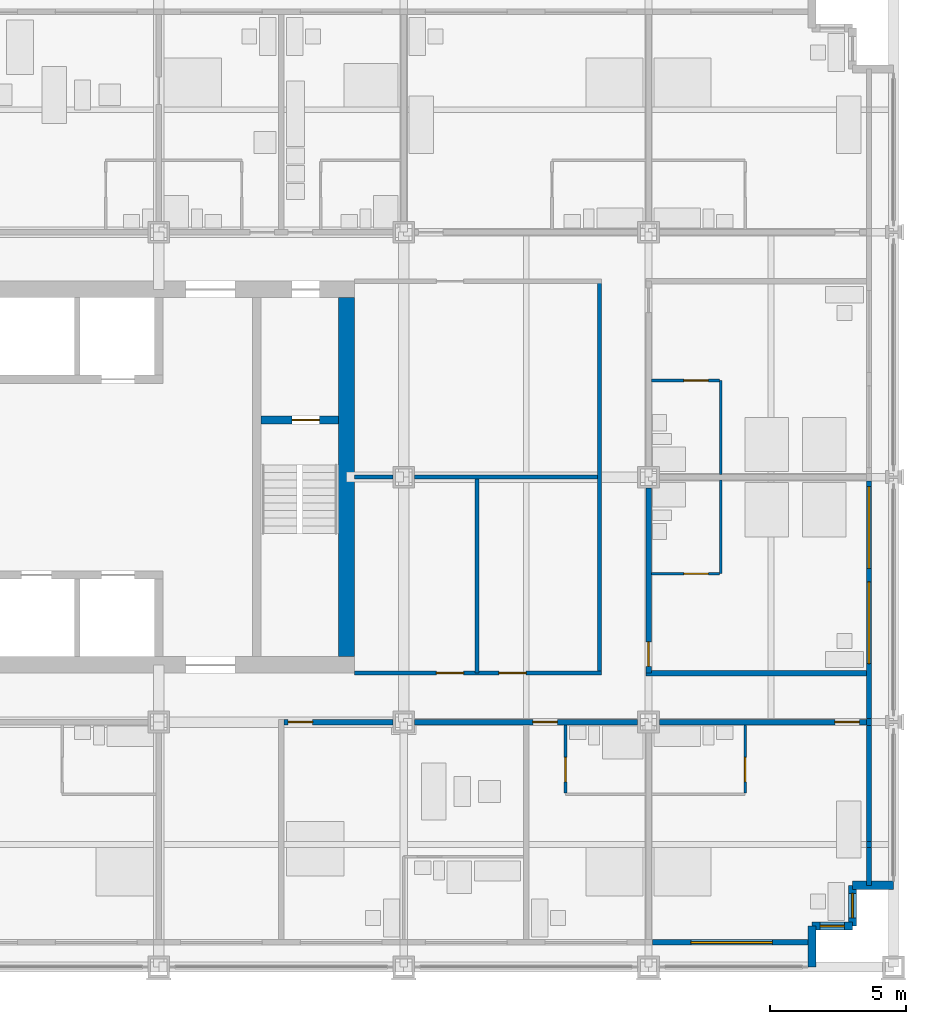
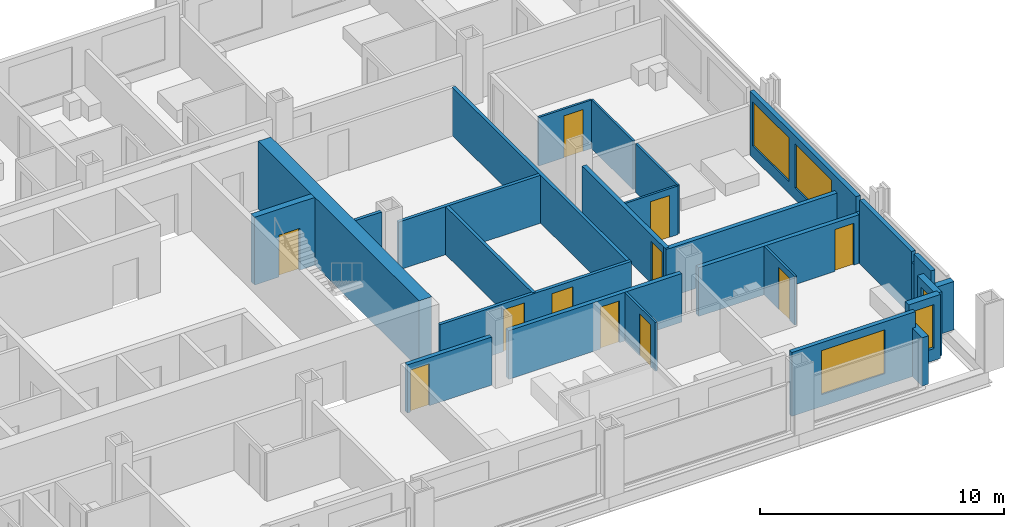
# One storey, part 13 of 18: 28 walls, 11 doors, 5 windows, 16 openings.
"""IFC4 building model written with IfcOpenShell, lengths in metres."""

from ifc_helpers import new_model, si_unit, direction, frame, frame_2d, origin, place, context, subcontext, project, spatial, rectangle, extrude, material, layer, layer_set, type_object, element, fill, save


model = new_model("IFC4")

# Units and contexts
model_context = context("Model", 3, precision=1e-05, world=origin(), true_north=direction((0.0, 1.0)))
body_context = subcontext(model_context, "Body", "Model", "MODEL_VIEW")
ifc_project = project(units=[si_unit("LENGTHUNIT", "METRE"), si_unit("AREAUNIT", "SQUARE_METRE"), si_unit("VOLUMEUNIT", "CUBIC_METRE"), si_unit("PLANEANGLEUNIT", "RADIAN"), si_unit("MASSUNIT", "GRAM", prefix="KILO")], contexts=[model_context])

# Site, building, storey
site_placement = place(None, origin())
site = spatial("IfcSite", under=ifc_project, at=site_placement, CompositionType="ELEMENT")
building_placement = place(site_placement, origin())
building = spatial("IfcBuilding", under=site, at=building_placement, Name="Loomwork Tower", CompositionType="ELEMENT")
storey_placement = place(building_placement, frame((0.0, 0.0, 38.199951171875)))
storey = spatial("IfcBuildingStorey", under=building, at=storey_placement, Name="L08", CompositionType="ELEMENT", Elevation=38.199951171875)

# Wall, opening, door
ifc_material_1 = material(Name="Concrete 14000 psi (97 MPa)", Category="concrete")
ifc_layer_1 = layer(ifc_material_1, 0.300048828125)
ifc_layer_set_1 = layer_set([ifc_layer_1], Name="Core shear wall 300")
wall_type_1 = type_object("IfcWallType", Name="Core shear wall 300", PredefinedType="SHEAR", material=ifc_layer_set_1)
wall_1_placement = place(storey_placement, frame((30.75, 20.10009765625, 0.0), z_axis=(0.0, 0.0, 1.0), x_axis=(1.0, 0.0, 0.0)))
wall_1 = element("IfcWall", 1, at=wall_1_placement, inside=storey, type_object=wall_type_1, Name="Stair B north wall L08", PredefinedType="SHEAR", context=body_context, shape_type="SweptSolid", body=[
    extrude(rectangle(XDim=2.85009765625, YDim=0.300048828125, at=frame_2d((1.425048828125, 0.0))), origin(), (0.0, 0.0, 1.0), 3.400146484375),
])
opening_1_placement = place(wall_1_placement, frame((1.14990234375, 0.0, 0.0)))
opening_1 = element("IfcOpeningElement", 2, at=opening_1_placement, cuts=wall_1, Name="Opening D4", PredefinedType="OPENING", context=body_context, shape_type="SweptSolid", body=[
    extrude(rectangle(XDim=1.0, YDim=2.10009765625, at=frame_2d((0.5, 1.050048828125))), frame((0.0, 0.159912109375, 0.0), z_axis=(0.0, -1.0, 0.0), x_axis=(1.0, 0.0, 0.0)), (0.0, 0.0, 1.0), 0.320068359375),
])
ifc_material_2 = material(Name="Hollow metal door and frame")
door_type_1 = type_object("IfcDoorType", Name="Stair door 1000", OperationType="SINGLE_SWING_RIGHT", PredefinedType="DOOR", material=ifc_material_2)
door_1_placement = place(opening_1_placement, frame((1.0, 0.0, 0.0), z_axis=(0.0, 0.0, 1.0), x_axis=(-1.0, 0.0, 0.0)))
door_1 = element("IfcDoor", 3, at=door_1_placement, inside=storey, type_object=door_type_1, Name="Stair B door", OperationType="SINGLE_SWING_LEFT", OverallHeight=2.10009765625, OverallWidth=1.0, PredefinedType="DOOR", context=body_context, shape_type="SweptSolid", body=[
    extrude(rectangle(XDim=1.0, YDim=2.10009765625, at=frame_2d((0.5, 1.050048828125))), frame((0.0, 0.02490234375, 0.0), z_axis=(0.0, -1.0, 0.0), x_axis=(1.0, 0.0, 0.0)), (0.0, 0.0, 1.0), 0.050048828125),
])
fill(opening_1, door_1)

# Wall
ifc_material_3 = material(Name="Concrete 14000 psi (97 MPa)", Category="concrete")
ifc_layer_2 = layer(ifc_material_3, 0.60009765625)
ifc_layer_set_2 = layer_set([ifc_layer_2], Name="Core shear wall 600")
wall_type_2 = type_object("IfcWallType", Name="Core shear wall 600", PredefinedType="SHEAR", material=ifc_layer_set_2)
wall_2_placement = place(storey_placement, frame((33.89990234375, 11.39990234375, 0.0), z_axis=(0.0, 0.0, 1.0), x_axis=(0.0, 1.0, 0.0)))
element("IfcWall", 4, at=wall_2_placement, inside=storey, type_object=wall_type_2, Name="Core wall east L08", PredefinedType="SHEAR", context=body_context, shape_type="SweptSolid", body=[
    extrude(rectangle(XDim=13.2001953125, YDim=0.60009765625, at=frame_2d((6.60009765625, 0.0))), origin(), (0.0, 0.0, 1.0), 3.400146484375),
])

# Wall, opening, door
ifc_material_4 = material(Name="Gypsum board on steel studs, one-hour", Category="steel")
ifc_layer_3 = layer(ifc_material_4, 0.199951171875)
ifc_layer_set_3 = layer_set([ifc_layer_3], Name="Corridor wall 200")
wall_type_3 = type_object("IfcWallType", Name="Corridor wall 200", PredefinedType="PARTITIONING", material=ifc_layer_set_3)
wall_3_placement = place(storey_placement, frame((31.60009765625, 9.0, 0.0), z_axis=(0.0, 0.0, 1.0), x_axis=(1.0, 0.0, 0.0)))
wall_3 = element("IfcWall", 5, at=wall_3_placement, inside=storey, type_object=wall_type_3, Name="South corridor wall 4", PredefinedType="PARTITIONING", context=body_context, shape_type="SweptSolid", body=[
    extrude(rectangle(XDim=4.0, YDim=0.199951171875, at=frame_2d((2.0, 0.0))), origin(), (0.0, 0.0, 1.0), 2.405029296875),
])
opening_2_placement = place(wall_3_placement, frame((0.14990234375, 0.0, 0.0)))
opening_2 = element("IfcOpeningElement", 6, at=opening_2_placement, cuts=wall_3, Name="Opening D1", PredefinedType="OPENING", context=body_context, shape_type="SweptSolid", body=[
    extrude(rectangle(XDim=0.89990234375, YDim=2.10009765625, at=frame_2d((0.449951171875, 1.050048828125))), frame((0.0, 0.10986328125, 0.0), z_axis=(0.0, -1.0, 0.0), x_axis=(1.0, 0.0, 0.0)), (0.0, 0.0, 1.0), 0.219970703125),
])
ifc_material_5 = material(Name="Hollow metal door and frame")
door_type_2 = type_object("IfcDoorType", Name="Guest room entry door 900", OperationType="SINGLE_SWING_LEFT", PredefinedType="DOOR", material=ifc_material_5)
door_2_placement = place(opening_2_placement, frame((0.89990234375, 0.0, 0.0), z_axis=(0.0, 0.0, 1.0), x_axis=(-1.0, 0.0, 0.0)))
door_2 = element("IfcDoor", 7, at=door_2_placement, inside=storey, type_object=door_type_2, Name="Guest room entry door L08 5", OperationType="SINGLE_SWING_RIGHT", OverallHeight=2.10009765625, OverallWidth=0.89990234375, PredefinedType="DOOR", context=body_context, shape_type="SweptSolid", body=[
    extrude(rectangle(XDim=0.89990234375, YDim=2.10009765625, at=frame_2d((0.449951171875, 1.050048828125))), frame((0.0, 0.02490234375, 0.0), z_axis=(0.0, -1.0, 0.0), x_axis=(1.0, 0.0, 0.0)), (0.0, 0.0, 1.0), 0.050048828125),
])
fill(opening_2, door_2)

wall_4_placement = place(storey_placement, frame((36.39990234375, 9.0, 0.0), z_axis=(0.0, 0.0, 1.0), x_axis=(1.0, 0.0, 0.0)))
wall_4 = element("IfcWall", 8, at=wall_4_placement, inside=storey, type_object=wall_type_3, Name="South corridor wall 5", PredefinedType="PARTITIONING", context=body_context, shape_type="SweptSolid", body=[
    extrude(rectangle(XDim=8.2001953125, YDim=0.199951171875, at=frame_2d((4.10009765625, 0.0))), origin(), (0.0, 0.0, 1.0), 2.43798828125),
])
opening_3_placement = place(wall_4_placement, frame((4.35009765625, 0.0, 0.0)))
opening_3 = element("IfcOpeningElement", 9, at=opening_3_placement, cuts=wall_4, Name="Opening D1", PredefinedType="OPENING", context=body_context, shape_type="SweptSolid", body=[
    extrude(rectangle(XDim=0.89990234375, YDim=2.10009765625, at=frame_2d((0.449951171875, 1.050048828125))), frame((0.0, 0.10986328125, 0.0), z_axis=(0.0, -1.0, 0.0), x_axis=(1.0, 0.0, 0.0)), (0.0, 0.0, 1.0), 0.219970703125),
])
door_3_placement = place(opening_3_placement, frame((0.89990234375, 0.0, 0.0), z_axis=(0.0, 0.0, 1.0), x_axis=(-1.0, 0.0, 0.0)))
door_3 = element("IfcDoor", 10, at=door_3_placement, inside=storey, type_object=door_type_2, Name="Guest room entry door L08 6", OperationType="SINGLE_SWING_RIGHT", OverallHeight=2.10009765625, OverallWidth=0.89990234375, PredefinedType="DOOR", context=body_context, shape_type="SweptSolid", body=[
    extrude(rectangle(XDim=0.89990234375, YDim=2.10009765625, at=frame_2d((0.449951171875, 1.050048828125))), frame((0.0, 0.02490234375, 0.0), z_axis=(0.0, -1.0, 0.0), x_axis=(1.0, 0.0, 0.0)), (0.0, 0.0, 1.0), 0.050048828125),
])
fill(opening_3, door_3)

wall_5_placement = place(storey_placement, frame((45.39990234375, 9.0, 0.0), z_axis=(0.0, 0.0, 1.0), x_axis=(1.0, 0.0, 0.0)))
wall_5 = element("IfcWall", 11, at=wall_5_placement, inside=storey, type_object=wall_type_3, Name="South corridor wall 6", PredefinedType="PARTITIONING", context=body_context, shape_type="SweptSolid", body=[
    extrude(rectangle(XDim=7.60009765625, YDim=0.199951171875, at=frame_2d((3.800048828125, 0.0))), origin(), (0.0, 0.0, 1.0), 2.43798828125),
])
opening_4_placement = place(wall_5_placement, frame((6.449951171875, 0.0, 0.0)))
opening_4 = element("IfcOpeningElement", 12, at=opening_4_placement, cuts=wall_5, Name="Opening D1", PredefinedType="OPENING", context=body_context, shape_type="SweptSolid", body=[
    extrude(rectangle(XDim=0.89990234375, YDim=2.10009765625, at=frame_2d((0.449951171875, 1.050048828125))), frame((0.0, 0.10986328125, 0.0), z_axis=(0.0, -1.0, 0.0), x_axis=(1.0, 0.0, 0.0)), (0.0, 0.0, 1.0), 0.219970703125),
])
door_4_placement = place(opening_4_placement, frame((0.89990234375, 0.0, 0.0), z_axis=(0.0, 0.0, 1.0), x_axis=(-1.0, 0.0, 0.0)))
door_4 = element("IfcDoor", 13, at=door_4_placement, inside=storey, type_object=door_type_2, Name="Guest room entry door L08 7", OperationType="SINGLE_SWING_LEFT", OverallHeight=2.10009765625, OverallWidth=0.89990234375, PredefinedType="DOOR", context=body_context, shape_type="SweptSolid", body=[
    extrude(rectangle(XDim=0.89990234375, YDim=2.10009765625, at=frame_2d((0.449951171875, 1.050048828125))), frame((0.0, 0.02490234375, 0.0), z_axis=(0.0, -1.0, 0.0), x_axis=(1.0, 0.0, 0.0)), (0.0, 0.0, 1.0), 0.050048828125),
])
fill(opening_4, door_4)

wall_6_placement = place(storey_placement, frame((45.0, 10.800048828125, 0.0), z_axis=(0.0, 0.0, 1.0), x_axis=(0.0, 1.0, 0.0)))
wall_6 = element("IfcWall", 14, at=wall_6_placement, inside=storey, type_object=wall_type_3, Name="East corridor wall 1", PredefinedType="PARTITIONING", context=body_context, shape_type="SweptSolid", body=[
    extrude(rectangle(XDim=6.800048828125, YDim=0.199951171875, at=frame_2d((3.39990234375, 0.0))), origin(), (0.0, 0.0, 1.0), 2.43798828125),
])
opening_5_placement = place(wall_6_placement, frame((0.25, 0.0, 0.0)))
opening_5 = element("IfcOpeningElement", 15, at=opening_5_placement, cuts=wall_6, Name="Opening D1", PredefinedType="OPENING", context=body_context, shape_type="SweptSolid", body=[
    extrude(rectangle(XDim=0.89990234375, YDim=2.10009765625, at=frame_2d((0.449951171875, 1.050048828125))), frame((0.0, 0.10986328125, 0.0), z_axis=(0.0, -1.0, 0.0), x_axis=(1.0, 0.0, 0.0)), (0.0, 0.0, 1.0), 0.219970703125),
])
door_5_placement = place(opening_5_placement, frame((0.89990234375, 0.0, 0.0), z_axis=(0.0, 0.0, 1.0), x_axis=(-1.0, 0.0, 0.0)))
door_5 = element("IfcDoor", 16, at=door_5_placement, inside=storey, type_object=door_type_2, Name="Guest room entry door L08 18", OperationType="SINGLE_SWING_RIGHT", OverallHeight=2.10009765625, OverallWidth=0.89990234375, PredefinedType="DOOR", context=body_context, shape_type="SweptSolid", body=[
    extrude(rectangle(XDim=0.89990234375, YDim=2.10009765625, at=frame_2d((0.449951171875, 1.050048828125))), frame((0.0, 0.02490234375, 0.0), z_axis=(0.0, -1.0, 0.0), x_axis=(1.0, 0.0, 0.0)), (0.0, 0.0, 1.0), 0.050048828125),
])
fill(opening_5, door_5)

# Wall
wall_7_placement = place(storey_placement, frame((44.89990234375, 10.800048828125, 0.0), z_axis=(0.0, 0.0, 1.0), x_axis=(1.0, 0.0, 0.0)))
element("IfcWall", 17, at=wall_7_placement, inside=storey, type_object=wall_type_3, Name="East band end wall S", PredefinedType="PARTITIONING", context=body_context, shape_type="SweptSolid", body=[
    extrude(rectangle(XDim=8.10009765625, YDim=0.199951171875, at=frame_2d((4.050048828125, 0.0))), origin(), (0.0, 0.0, 1.0), 2.43798828125),
])

# Wall, opening, door
ifc_material_6 = material(Name="Cement board on steel studs", Category="steel")
ifc_layer_4 = layer(ifc_material_6, 0.10009765625)
ifc_layer_set_4 = layer_set([ifc_layer_4], Name="En-suite partition 100")
wall_type_4 = type_object("IfcWallType", Name="En-suite partition 100", PredefinedType="PARTITIONING", material=ifc_layer_set_4)
wall_8_placement = place(storey_placement, frame((41.949951171875, 8.89990234375, 0.0), z_axis=(0.0, 0.0, 1.0), x_axis=(0.0, -1.0, 0.0)))
wall_8 = element("IfcWall", 18, at=wall_8_placement, inside=storey, type_object=wall_type_4, Name="En-suite side wall L08 room 6", PredefinedType="PARTITIONING", context=body_context, shape_type="SweptSolid", body=[
    extrude(rectangle(XDim=2.5, YDim=0.10009765625, at=frame_2d((1.25, 0.0))), origin(), (0.0, 0.0, 1.0), 2.43798828125),
])
opening_6_placement = place(wall_8_placement, frame((1.199951171875, 0.0, 0.0)))
opening_6 = element("IfcOpeningElement", 19, at=opening_6_placement, cuts=wall_8, Name="Opening D3", PredefinedType="OPENING", context=body_context, shape_type="SweptSolid", body=[
    extrude(rectangle(XDim=0.89990234375, YDim=2.10009765625, at=frame_2d((0.449951171875, 1.050048828125))), frame((0.0, 0.06005859375, 0.0), z_axis=(0.0, -1.0, 0.0), x_axis=(1.0, 0.0, 0.0)), (0.0, 0.0, 1.0), 0.1201171875),
])
ifc_material_7 = material(Name="Hollow metal door and frame")
door_type_3 = type_object("IfcDoorType", Name="Accessible en-suite door 900", OperationType="SLIDING_TO_LEFT", PredefinedType="DOOR", material=ifc_material_7)
door_6_placement = place(opening_6_placement, origin())
door_6 = element("IfcDoor", 20, at=door_6_placement, inside=storey, type_object=door_type_3, Name="Accessible en-suite door room 6", OperationType="SLIDING_TO_LEFT", OverallHeight=2.10009765625, OverallWidth=0.89990234375, PredefinedType="DOOR", context=body_context, shape_type="SweptSolid", body=[
    extrude(rectangle(XDim=0.89990234375, YDim=2.10009765625, at=frame_2d((0.449951171875, 1.050048828125))), frame((0.0, 0.02490234375, 0.0), z_axis=(0.0, -1.0, 0.0), x_axis=(1.0, 0.0, 0.0)), (0.0, 0.0, 1.0), 0.050048828125),
])
fill(opening_6, door_6)

wall_9_placement = place(storey_placement, frame((48.550048828125, 8.89990234375, 0.0), z_axis=(0.0, 0.0, 1.0), x_axis=(0.0, -1.0, 0.0)))
wall_9 = element("IfcWall", 21, at=wall_9_placement, inside=storey, type_object=wall_type_4, Name="En-suite side wall L08 room 7", PredefinedType="PARTITIONING", context=body_context, shape_type="SweptSolid", body=[
    extrude(rectangle(XDim=2.5, YDim=0.10009765625, at=frame_2d((1.25, 0.0))), origin(), (0.0, 0.0, 1.0), 2.43798828125),
])
opening_7_placement = place(wall_9_placement, frame((1.199951171875, 0.0, 0.0)))
opening_7 = element("IfcOpeningElement", 22, at=opening_7_placement, cuts=wall_9, Name="Opening D2", PredefinedType="OPENING", context=body_context, shape_type="SweptSolid", body=[
    extrude(rectangle(XDim=0.89990234375, YDim=2.10009765625, at=frame_2d((0.449951171875, 1.050048828125))), frame((0.0, 0.06005859375, 0.0), z_axis=(0.0, -1.0, 0.0), x_axis=(1.0, 0.0, 0.0)), (0.0, 0.0, 1.0), 0.1201171875),
])
ifc_material_8 = material(Name="Hollow metal door and frame")
door_type_4 = type_object("IfcDoorType", Name="En-suite door 900", OperationType="SINGLE_SWING_LEFT", PredefinedType="DOOR", material=ifc_material_8)
door_7_placement = place(opening_7_placement, frame((0.89990234375, 0.0, 0.0), z_axis=(0.0, 0.0, 1.0), x_axis=(-1.0, 0.0, 0.0)))
door_7 = element("IfcDoor", 23, at=door_7_placement, inside=storey, type_object=door_type_4, Name="En-suite door room 7", OperationType="SINGLE_SWING_LEFT", OverallHeight=2.10009765625, OverallWidth=0.89990234375, PredefinedType="DOOR", context=body_context, shape_type="SweptSolid", body=[
    extrude(rectangle(XDim=0.89990234375, YDim=2.10009765625, at=frame_2d((0.449951171875, 1.050048828125))), frame((0.0, 0.02490234375, 0.0), z_axis=(0.0, -1.0, 0.0), x_axis=(1.0, 0.0, 0.0)), (0.0, 0.0, 1.0), 0.050048828125),
])
fill(opening_7, door_7)

# Wall
wall_10_placement = place(storey_placement, frame((47.64990234375, 14.449951171875, 0.0), z_axis=(0.0, 0.0, 1.0), x_axis=(0.0, 1.0, 0.0)))
element("IfcWall", 24, at=wall_10_placement, inside=storey, type_object=wall_type_4, Name="En-suite wall L08 room 18", PredefinedType="PARTITIONING", context=body_context, shape_type="SweptSolid", body=[
    extrude(rectangle(XDim=3.449951171875, YDim=0.10009765625, at=frame_2d((1.72509765625, 0.0))), origin(), (0.0, 0.0, 1.0), 2.43798828125),
])

# Wall, opening, door
wall_11_placement = place(storey_placement, frame((45.10009765625, 14.449951171875, 0.0), z_axis=(0.0, 0.0, 1.0), x_axis=(1.0, 0.0, 0.0)))
wall_11 = element("IfcWall", 25, at=wall_11_placement, inside=storey, type_object=wall_type_4, Name="En-suite side wall L08 room 18", PredefinedType="PARTITIONING", context=body_context, shape_type="SweptSolid", body=[
    extrude(rectangle(XDim=2.5, YDim=0.10009765625, at=frame_2d((1.25, 0.0))), origin(), (0.0, 0.0, 1.0), 2.43798828125),
])
opening_8_placement = place(wall_11_placement, frame((1.199951171875, 0.0, 0.0)))
opening_8 = element("IfcOpeningElement", 26, at=opening_8_placement, cuts=wall_11, Name="Opening D2", PredefinedType="OPENING", context=body_context, shape_type="SweptSolid", body=[
    extrude(rectangle(XDim=0.89990234375, YDim=2.10009765625, at=frame_2d((0.449951171875, 1.050048828125))), frame((0.0, 0.06005859375, 0.0), z_axis=(0.0, -1.0, 0.0), x_axis=(1.0, 0.0, 0.0)), (0.0, 0.0, 1.0), 0.1201171875),
])
door_8_placement = place(opening_8_placement, origin())
door_8 = element("IfcDoor", 27, at=door_8_placement, inside=storey, type_object=door_type_4, Name="En-suite door room 18", OperationType="SINGLE_SWING_RIGHT", OverallHeight=2.10009765625, OverallWidth=0.89990234375, PredefinedType="DOOR", context=body_context, shape_type="SweptSolid", body=[
    extrude(rectangle(XDim=0.89990234375, YDim=2.10009765625, at=frame_2d((0.449951171875, 1.050048828125))), frame((0.0, 0.02490234375, 0.0), z_axis=(0.0, -1.0, 0.0), x_axis=(1.0, 0.0, 0.0)), (0.0, 0.0, 1.0), 0.050048828125),
])
fill(opening_8, door_8)

# Wall
wall_12_placement = place(storey_placement, frame((47.64990234375, 18.10009765625, 0.0), z_axis=(0.0, 0.0, 1.0), x_axis=(0.0, 1.0, 0.0)))
element("IfcWall", 28, at=wall_12_placement, inside=storey, type_object=wall_type_4, Name="En-suite wall L08 room 19", PredefinedType="PARTITIONING", context=body_context, shape_type="SweptSolid", body=[
    extrude(rectangle(XDim=3.449951171875, YDim=0.10009765625, at=frame_2d((1.72509765625, 0.0))), origin(), (0.0, 0.0, 1.0), 2.43798828125),
])

# Wall, opening, door
wall_13_placement = place(storey_placement, frame((45.10009765625, 21.550048828125, 0.0), z_axis=(0.0, 0.0, 1.0), x_axis=(1.0, 0.0, 0.0)))
wall_13 = element("IfcWall", 29, at=wall_13_placement, inside=storey, type_object=wall_type_4, Name="En-suite side wall L08 room 19", PredefinedType="PARTITIONING", context=body_context, shape_type="SweptSolid", body=[
    extrude(rectangle(XDim=2.5, YDim=0.10009765625, at=frame_2d((1.25, 0.0))), origin(), (0.0, 0.0, 1.0), 2.43798828125),
])
opening_9_placement = place(wall_13_placement, frame((1.199951171875, 0.0, 0.0)))
opening_9 = element("IfcOpeningElement", 30, at=opening_9_placement, cuts=wall_13, Name="Opening D2", PredefinedType="OPENING", context=body_context, shape_type="SweptSolid", body=[
    extrude(rectangle(XDim=0.89990234375, YDim=2.10009765625, at=frame_2d((0.449951171875, 1.050048828125))), frame((0.0, 0.06005859375, 0.0), z_axis=(0.0, -1.0, 0.0), x_axis=(1.0, 0.0, 0.0)), (0.0, 0.0, 1.0), 0.1201171875),
])
door_9_placement = place(opening_9_placement, frame((0.89990234375, 0.0, 0.0), z_axis=(0.0, 0.0, 1.0), x_axis=(-1.0, 0.0, 0.0)))
door_9 = element("IfcDoor", 31, at=door_9_placement, inside=storey, type_object=door_type_4, Name="En-suite door room 19", OperationType="SINGLE_SWING_LEFT", OverallHeight=2.10009765625, OverallWidth=0.89990234375, PredefinedType="DOOR", context=body_context, shape_type="SweptSolid", body=[
    extrude(rectangle(XDim=0.89990234375, YDim=2.10009765625, at=frame_2d((0.449951171875, 1.050048828125))), frame((0.0, 0.02490234375, 0.0), z_axis=(0.0, -1.0, 0.0), x_axis=(1.0, 0.0, 0.0)), (0.0, 0.0, 1.0), 0.050048828125),
])
fill(opening_9, door_9)

# Wall
ifc_material_9 = material(Name="Insulated steel stud wall with gypsum lining", Category="steel")
ifc_layer_5 = layer(ifc_material_9, 0.199951171875)
ifc_layer_set_5 = layer_set([ifc_layer_5], Name="Inner skin wall 200")
wall_type_5 = type_object("IfcWallType", Name="Inner skin wall 200", PredefinedType="SOLIDWALL", material=ifc_layer_set_5)
wall_14_placement = place(storey_placement, frame((53.10009765625, 3.0, 0.0), z_axis=(0.0, 0.0, 1.0), x_axis=(0.0, 1.0, 0.0)))
element("IfcWall", 32, at=wall_14_placement, inside=storey, type_object=wall_type_5, Name="Inner skin wall E", PredefinedType="SOLIDWALL", context=body_context, shape_type="SweptSolid", body=[
    extrude(rectangle(XDim=1.392578125, YDim=0.199951171875, at=frame_2d((0.6962890625, 0.0))), origin(), (0.0, 0.0, 1.0), 3.199951171875),
])

# Wall, opening, window
wall_15_placement = place(storey_placement, frame((45.135498046875, 0.89990234375, 0.0), z_axis=(0.0, 0.0, 1.0), x_axis=(1.0, 0.0, 0.0)))
wall_15 = element("IfcWall", 33, at=wall_15_placement, inside=storey, type_object=wall_type_5, Name="Inner skin wall S bay 11", PredefinedType="SOLIDWALL", context=body_context, shape_type="SweptSolid", body=[
    extrude(rectangle(XDim=5.864501953125, YDim=0.199951171875, at=frame_2d((2.93212890625, 0.0))), origin(), (0.0, 0.0, 1.0), 3.199951171875),
])
opening_10_placement = place(wall_15_placement, frame((1.41455078125, 0.0, 0.60009765625)))
opening_10 = element("IfcOpeningElement", 34, at=opening_10_placement, cuts=wall_15, Name="Opening CH1", PredefinedType="OPENING", context=body_context, shape_type="SweptSolid", body=[
    extrude(rectangle(XDim=3.0, YDim=2.199951171875, at=frame_2d((1.5, 1.10009765625))), frame((0.0, 0.10986328125, 0.0), z_axis=(0.0, -1.0, 0.0), x_axis=(1.0, 0.0, 0.0)), (0.0, 0.0, 1.0), 0.219970703125),
])
ifc_material_10 = material(Name="Aluminium frame with clear insulated glass", Category="aluminium")
window_type_1 = type_object("IfcWindowType", Name="Chicago window 3000", PartitioningType="TRIPLE_PANEL_VERTICAL", PredefinedType="WINDOW", material=ifc_material_10)
window_1_placement = place(opening_10_placement, origin())
window_1 = element("IfcWindow", 35, at=window_1_placement, inside=storey, type_object=window_type_1, Name="Chicago window L08 bay 6", OverallHeight=2.199951171875, OverallWidth=3.0, PartitioningType="TRIPLE_PANEL_VERTICAL", PredefinedType="WINDOW", context=body_context, shape_type="SweptSolid", body=[
    extrude(rectangle(XDim=3.0, YDim=2.199951171875, at=frame_2d((1.5, 1.10009765625))), frame((0.0, 0.030029296875, 0.0), z_axis=(0.0, -1.0, 0.0), x_axis=(1.0, 0.0, 0.0)), (0.0, 0.0, 1.0), 0.06005859375),
])
fill(opening_10, window_1)

# Walls
wall_16_placement = place(storey_placement, frame((53.10009765625, 4.392578125, 0.0), z_axis=(0.0, 0.0, 1.0), x_axis=(0.0, 1.0, 0.0)))
element("IfcWall", 36, at=wall_16_placement, inside=storey, type_object=wall_type_5, Name="Inner skin wall E bay 2", PredefinedType="SOLIDWALL", context=body_context, shape_type="SweptSolid", body=[
    extrude(rectangle(XDim=0.21484375, YDim=0.199951171875, at=frame_2d((0.107421875, 0.0))), origin(), (0.0, 0.0, 1.0), 2.6611328125),
])
wall_17_placement = place(storey_placement, frame((53.10009765625, 4.607421875, 0.0), z_axis=(0.0, 0.0, 1.0), x_axis=(0.0, 1.0, 0.0)))
element("IfcWall", 37, at=wall_17_placement, inside=storey, type_object=wall_type_5, Name="Inner skin wall E bay 3", PredefinedType="SOLIDWALL", context=body_context, shape_type="SweptSolid", body=[
    extrude(rectangle(XDim=4.25732421875, YDim=0.199951171875, at=frame_2d((2.128662109375, 0.0))), origin(), (0.0, 0.0, 1.0), 3.199951171875),
])
wall_18_placement = place(storey_placement, frame((53.10009765625, 8.86474609375, 0.0), z_axis=(0.0, 0.0, 1.0), x_axis=(0.0, 1.0, 0.0)))
element("IfcWall", 38, at=wall_18_placement, inside=storey, type_object=wall_type_5, Name="Inner skin wall E bay 4", PredefinedType="SOLIDWALL", context=body_context, shape_type="SweptSolid", body=[
    extrude(rectangle(XDim=0.2705078125, YDim=0.199951171875, at=frame_2d((0.13525390625, 0.0))), origin(), (0.0, 0.0, 1.0), 2.43798828125),
])

# Wall, openings, windows
wall_19_placement = place(storey_placement, frame((53.10009765625, 9.13525390625, 0.0), z_axis=(0.0, 0.0, 1.0), x_axis=(0.0, 1.0, 0.0)))
wall_19 = element("IfcWall", 39, at=wall_19_placement, inside=storey, type_object=wall_type_5, Name="Inner skin wall E bay 5", PredefinedType="SOLIDWALL", context=body_context, shape_type="SweptSolid", body=[
    extrude(rectangle(XDim=8.729248046875, YDim=0.199951171875, at=frame_2d((4.36474609375, 0.0))), origin(), (0.0, 0.0, 1.0), 3.199951171875),
])
opening_11_placement = place(wall_19_placement, frame((2.0146484375, 0.0, 0.60009765625)))
opening_11 = element("IfcOpeningElement", 40, at=opening_11_placement, cuts=wall_19, Name="Opening CH1", PredefinedType="OPENING", context=body_context, shape_type="SweptSolid", body=[
    extrude(rectangle(XDim=3.0, YDim=2.199951171875, at=frame_2d((1.5, 1.10009765625))), frame((0.0, 0.10986328125, 0.0), z_axis=(0.0, -1.0, 0.0), x_axis=(1.0, 0.0, 0.0)), (0.0, 0.0, 1.0), 0.219970703125),
])
opening_12_placement = place(wall_19_placement, frame((5.5146484375, 0.0, 0.60009765625)))
opening_12 = element("IfcOpeningElement", 41, at=opening_12_placement, cuts=wall_19, Name="Opening CH1", PredefinedType="OPENING", context=body_context, shape_type="SweptSolid", body=[
    extrude(rectangle(XDim=3.0, YDim=2.199951171875, at=frame_2d((1.5, 1.10009765625))), frame((0.0, 0.10986328125, 0.0), z_axis=(0.0, -1.0, 0.0), x_axis=(1.0, 0.0, 0.0)), (0.0, 0.0, 1.0), 0.219970703125),
])
window_2_placement = place(opening_11_placement, origin())
window_2 = element("IfcWindow", 42, at=window_2_placement, inside=storey, type_object=window_type_1, Name="Chicago window L08 bay 15", OverallHeight=2.199951171875, OverallWidth=3.0, PartitioningType="TRIPLE_PANEL_VERTICAL", PredefinedType="WINDOW", context=body_context, shape_type="SweptSolid", body=[
    extrude(rectangle(XDim=3.0, YDim=2.199951171875, at=frame_2d((1.5, 1.10009765625))), frame((0.0, 0.030029296875, 0.0), z_axis=(0.0, -1.0, 0.0), x_axis=(1.0, 0.0, 0.0)), (0.0, 0.0, 1.0), 0.06005859375),
])
fill(opening_11, window_2)
window_3_placement = place(opening_12_placement, origin())
window_3 = element("IfcWindow", 43, at=window_3_placement, inside=storey, type_object=window_type_1, Name="Chicago window L08 bay 15", OverallHeight=2.199951171875, OverallWidth=3.0, PartitioningType="TRIPLE_PANEL_VERTICAL", PredefinedType="WINDOW", context=body_context, shape_type="SweptSolid", body=[
    extrude(rectangle(XDim=3.0, YDim=2.199951171875, at=frame_2d((1.5, 1.10009765625))), frame((0.0, 0.030029296875, 0.0), z_axis=(0.0, -1.0, 0.0), x_axis=(1.0, 0.0, 0.0)), (0.0, 0.0, 1.0), 0.06005859375),
])
fill(opening_12, window_3)

# Wall
ifc_material_11 = material(Name="Limestone on concrete masonry", Category="masonry")
ifc_layer_6 = layer(ifc_material_11, 0.300048828125)
ifc_layer_set_6 = layer_set([ifc_layer_6], Name="Limestone corner wall 300")
wall_type_6 = type_object("IfcWallType", Name="Limestone corner wall 300", PredefinedType="SOLIDWALL", material=ifc_layer_set_6)
wall_20_placement = place(storey_placement, frame((51.0, 0.0, 0.0), z_axis=(0.0, 0.0, 1.0), x_axis=(0.0, 1.0, 0.0)))
element("IfcWall", 44, at=wall_20_placement, inside=storey, type_object=wall_type_6, Name="Stone corner wall SE 1", PredefinedType="SOLIDWALL", context=body_context, shape_type="SweptSolid", body=[
    extrude(rectangle(XDim=1.5, YDim=0.300048828125, at=frame_2d((0.75, 0.0))), origin(), (0.0, 0.0, 1.0), 2.420166015625),
])

# Wall, opening, window
wall_21_placement = place(storey_placement, frame((51.0, 1.5, 0.0), z_axis=(0.0, 0.0, 1.0), x_axis=(1.0, 0.0, 0.0)))
wall_21 = element("IfcWall", 45, at=wall_21_placement, inside=storey, type_object=wall_type_6, Name="Stone corner wall SE 2", PredefinedType="SOLIDWALL", context=body_context, shape_type="SweptSolid", body=[
    extrude(rectangle(XDim=1.5, YDim=0.300048828125, at=frame_2d((0.75, 0.0))), origin(), (0.0, 0.0, 1.0), 3.199951171875),
])
opening_13_placement = place(wall_21_placement, frame((0.300048828125, 0.0, 0.60009765625)))
opening_13 = element("IfcOpeningElement", 46, at=opening_13_placement, cuts=wall_21, Name="Opening CH2", PredefinedType="OPENING", context=body_context, shape_type="SweptSolid", body=[
    extrude(rectangle(XDim=0.89990234375, YDim=2.199951171875, at=frame_2d((0.449951171875, 1.10009765625))), frame((0.0, 0.159912109375, 0.0), z_axis=(0.0, -1.0, 0.0), x_axis=(1.0, 0.0, 0.0)), (0.0, 0.0, 1.0), 0.320068359375),
])
ifc_material_12 = material(Name="Aluminium frame with clear insulated glass", Category="aluminium")
window_type_2 = type_object("IfcWindowType", Name="Corner window 900", PartitioningType="SINGLE_PANEL", PredefinedType="WINDOW", material=ifc_material_12)
window_4_placement = place(opening_13_placement, origin())
window_4 = element("IfcWindow", 47, at=window_4_placement, inside=storey, type_object=window_type_2, Name="Corner window SE", OverallHeight=2.199951171875, OverallWidth=0.89990234375, PartitioningType="SINGLE_PANEL", PredefinedType="WINDOW", context=body_context, shape_type="SweptSolid", body=[
    extrude(rectangle(XDim=0.89990234375, YDim=2.199951171875, at=frame_2d((0.449951171875, 1.10009765625))), frame((0.0, 0.030029296875, 0.0), z_axis=(0.0, -1.0, 0.0), x_axis=(1.0, 0.0, 0.0)), (0.0, 0.0, 1.0), 0.06005859375),
])
fill(opening_13, window_4)

wall_22_placement = place(storey_placement, frame((52.5, 1.5, 0.0), z_axis=(0.0, 0.0, 1.0), x_axis=(0.0, 1.0, 0.0)))
wall_22 = element("IfcWall", 48, at=wall_22_placement, inside=storey, type_object=wall_type_6, Name="Stone corner wall SE 3", PredefinedType="SOLIDWALL", context=body_context, shape_type="SweptSolid", body=[
    extrude(rectangle(XDim=1.5, YDim=0.300048828125, at=frame_2d((0.75, 0.0))), origin(), (0.0, 0.0, 1.0), 3.199951171875),
])
opening_14_placement = place(wall_22_placement, frame((0.300048828125, 0.0, 0.60009765625)))
opening_14 = element("IfcOpeningElement", 49, at=opening_14_placement, cuts=wall_22, Name="Opening CH2", PredefinedType="OPENING", context=body_context, shape_type="SweptSolid", body=[
    extrude(rectangle(XDim=0.89990234375, YDim=2.199951171875, at=frame_2d((0.449951171875, 1.10009765625))), frame((0.0, 0.159912109375, 0.0), z_axis=(0.0, -1.0, 0.0), x_axis=(1.0, 0.0, 0.0)), (0.0, 0.0, 1.0), 0.320068359375),
])
window_5_placement = place(opening_14_placement, origin())
window_5 = element("IfcWindow", 50, at=window_5_placement, inside=storey, type_object=window_type_2, Name="Corner window SE", OverallHeight=2.199951171875, OverallWidth=0.89990234375, PartitioningType="SINGLE_PANEL", PredefinedType="WINDOW", context=body_context, shape_type="SweptSolid", body=[
    extrude(rectangle(XDim=0.89990234375, YDim=2.199951171875, at=frame_2d((0.449951171875, 1.10009765625))), frame((0.0, 0.030029296875, 0.0), z_axis=(0.0, -1.0, 0.0), x_axis=(1.0, 0.0, 0.0)), (0.0, 0.0, 1.0), 0.06005859375),
])
fill(opening_14, window_5)

# Wall
wall_23_placement = place(storey_placement, frame((52.5, 3.0, 0.0), z_axis=(0.0, 0.0, 1.0), x_axis=(1.0, 0.0, 0.0)))
element("IfcWall", 51, at=wall_23_placement, inside=storey, type_object=wall_type_6, Name="Stone corner wall SE 4", PredefinedType="SOLIDWALL", context=body_context, shape_type="SweptSolid", body=[
    extrude(rectangle(XDim=1.5, YDim=0.300048828125, at=frame_2d((0.75, 0.0))), origin(), (0.0, 0.0, 1.0), 2.420166015625),
])

# Wall, openings, doors
ifc_material_13 = material(Name="Gypsum board on steel studs, one-hour", Category="steel")
ifc_layer_7 = layer(ifc_material_13, 0.14990234375)
ifc_layer_set_7 = layer_set([ifc_layer_7], Name="Service partition 150")
wall_type_7 = type_object("IfcWallType", Name="Service partition 150", PredefinedType="PARTITIONING", material=ifc_layer_set_7)
wall_24_placement = place(storey_placement, frame((34.199951171875, 10.800048828125, 0.0), z_axis=(0.0, 0.0, 1.0), x_axis=(1.0, 0.0, 0.0)))
wall_24 = element("IfcWall", 52, at=wall_24_placement, inside=storey, type_object=wall_type_7, Name="Service block wall S", PredefinedType="PARTITIONING", context=body_context, shape_type="SweptSolid", body=[
    extrude(rectangle(XDim=9.074951171875, YDim=0.14990234375, at=frame_2d((4.53759765625, 0.0))), origin(), (0.0, 0.0, 1.0), 2.404052734375),
])
opening_15_placement = place(wall_24_placement, frame((5.300048828125, 0.0, 0.0)))
opening_15 = element("IfcOpeningElement", 53, at=opening_15_placement, cuts=wall_24, Name="Opening D5", PredefinedType="OPENING", context=body_context, shape_type="SweptSolid", body=[
    extrude(rectangle(XDim=1.0, YDim=2.10009765625, at=frame_2d((0.5, 1.050048828125))), frame((0.0, 0.0849609375, 0.0), z_axis=(0.0, -1.0, 0.0), x_axis=(1.0, 0.0, 0.0)), (0.0, 0.0, 1.0), 0.169921875),
])
opening_16_placement = place(wall_24_placement, frame((3.0, 0.0, 0.0)))
opening_16 = element("IfcOpeningElement", 54, at=opening_16_placement, cuts=wall_24, Name="Opening D5", PredefinedType="OPENING", context=body_context, shape_type="SweptSolid", body=[
    extrude(rectangle(XDim=1.0, YDim=2.10009765625, at=frame_2d((0.5, 1.050048828125))), frame((0.0, 0.0849609375, 0.0), z_axis=(0.0, -1.0, 0.0), x_axis=(1.0, 0.0, 0.0)), (0.0, 0.0, 1.0), 0.169921875),
])
ifc_material_14 = material(Name="Hollow metal door and frame")
door_type_5 = type_object("IfcDoorType", Name="Service door 1000", OperationType="SINGLE_SWING_LEFT", PredefinedType="DOOR", material=ifc_material_14)
door_10_placement = place(opening_15_placement, origin())
door_10 = element("IfcDoor", 55, at=door_10_placement, inside=storey, type_object=door_type_5, Name="Linen store door", OperationType="SINGLE_SWING_LEFT", OverallHeight=2.10009765625, OverallWidth=1.0, PredefinedType="DOOR", context=body_context, shape_type="SweptSolid", body=[
    extrude(rectangle(XDim=1.0, YDim=2.10009765625, at=frame_2d((0.5, 1.050048828125))), frame((0.0, 0.02490234375, 0.0), z_axis=(0.0, -1.0, 0.0), x_axis=(1.0, 0.0, 0.0)), (0.0, 0.0, 1.0), 0.050048828125),
])
fill(opening_15, door_10)
door_11_placement = place(opening_16_placement, origin())
door_11 = element("IfcDoor", 56, at=door_11_placement, inside=storey, type_object=door_type_5, Name="Housekeeping store door", OperationType="SINGLE_SWING_RIGHT", OverallHeight=2.10009765625, OverallWidth=1.0, PredefinedType="DOOR", context=body_context, shape_type="SweptSolid", body=[
    extrude(rectangle(XDim=1.0, YDim=2.10009765625, at=frame_2d((0.5, 1.050048828125))), frame((0.0, 0.02490234375, 0.0), z_axis=(0.0, -1.0, 0.0), x_axis=(1.0, 0.0, 0.0)), (0.0, 0.0, 1.0), 0.050048828125),
])
fill(opening_16, door_11)

# Walls
wall_25_placement = place(storey_placement, frame((43.199951171875, 10.800048828125, 0.0), z_axis=(0.0, 0.0, 1.0), x_axis=(0.0, 1.0, 0.0)))
element("IfcWall", 57, at=wall_25_placement, inside=storey, type_object=wall_type_7, Name="Service block east wall", PredefinedType="PARTITIONING", context=body_context, shape_type="SweptSolid", body=[
    extrude(rectangle(XDim=14.39990234375, YDim=0.14990234375, at=frame_2d((7.199951171875, 0.0))), origin(), (0.0, 0.0, 1.0), 2.404052734375),
])
wall_26_placement = place(storey_placement, frame((34.199951171875, 18.0, 0.0), z_axis=(0.0, 0.0, 1.0), x_axis=(1.0, 0.0, 0.0)))
element("IfcWall", 58, at=wall_26_placement, inside=storey, type_object=wall_type_7, Name="Service block divider", PredefinedType="PARTITIONING", context=body_context, shape_type="SweptSolid", body=[
    extrude(rectangle(XDim=1.400146484375, YDim=0.14990234375, at=frame_2d((0.7001953125, 0.0))), origin(), (0.0, 0.0, 1.0), 3.199951171875),
])
wall_27_placement = place(storey_placement, frame((36.39990234375, 18.0, 0.0), z_axis=(0.0, 0.0, 1.0), x_axis=(1.0, 0.0, 0.0)))
element("IfcWall", 59, at=wall_27_placement, inside=storey, type_object=wall_type_7, Name="Service block divider", PredefinedType="PARTITIONING", context=body_context, shape_type="SweptSolid", body=[
    extrude(rectangle(XDim=6.72509765625, YDim=0.14990234375, at=frame_2d((3.362548828125, 0.0))), origin(), (0.0, 0.0, 1.0), 2.405029296875),
])
wall_28_placement = place(storey_placement, frame((38.699951171875, 10.800048828125, 0.0), z_axis=(0.0, 0.0, 1.0), x_axis=(0.0, 1.0, 0.0)))
element("IfcWall", 60, at=wall_28_placement, inside=storey, type_object=wall_type_7, Name="Housekeeping partition L08", PredefinedType="PARTITIONING", context=body_context, shape_type="SweptSolid", body=[
    extrude(rectangle(XDim=7.199951171875, YDim=0.14990234375, at=frame_2d((3.60009765625, 0.0))), origin(), (0.0, 0.0, 1.0), 2.404052734375),
])

save(model, "model.ifc")
